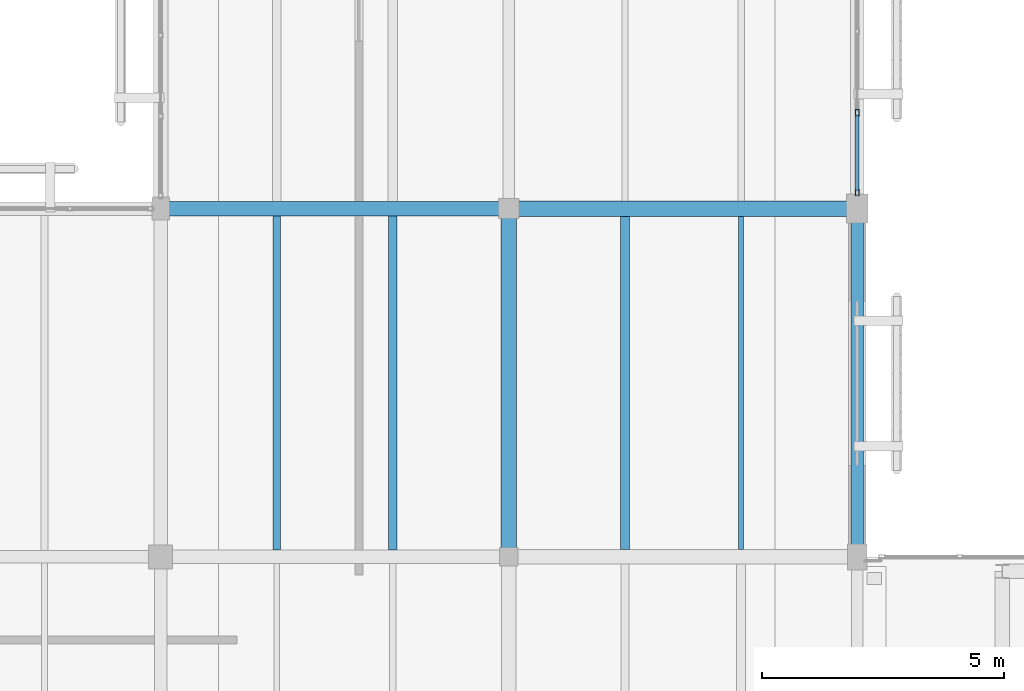
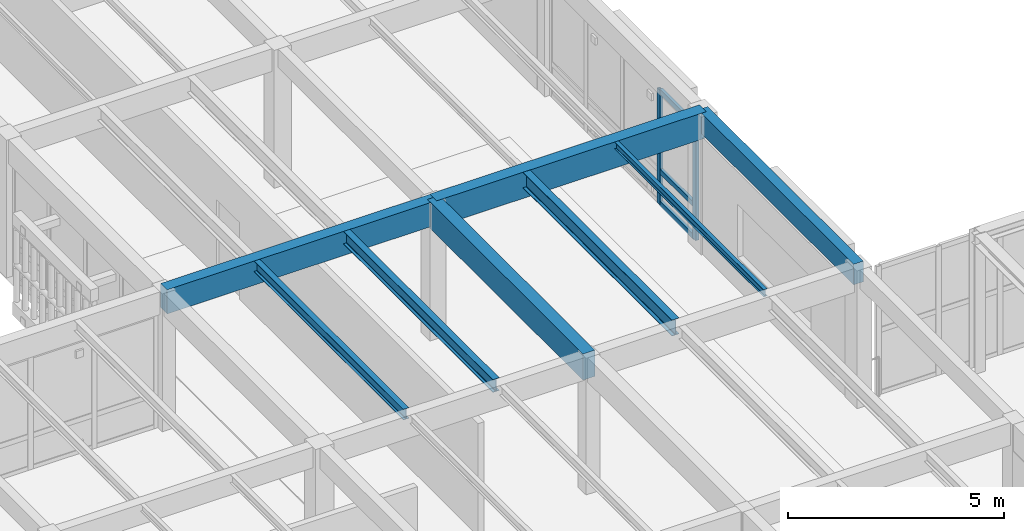
# One storey, part 34 of 217: 8 beams, 5 members, 1 element without a shape of its own.
"""IFC4 building model written with IfcOpenShell, lengths in metres."""

from ifc_helpers import new_model, si_unit, direction, frame, origin, origin_2d, place, context, subcontext, project, spatial, rectangle, hollow_rectangle, i_section, extrude, material, layer, layer_set, material_profile, profile_set, type_object, element, aggregate, save


model = new_model("IFC4")

# Units and contexts
model_context = context("Model", 3, precision=1e-05, world=origin(), true_north=direction((0.0, 1.0)))
body_context = subcontext(model_context, "Body", "Model", "MODEL_VIEW")
ifc_project = project(units=[si_unit("LENGTHUNIT", "METRE"), si_unit("AREAUNIT", "SQUARE_METRE"), si_unit("VOLUMEUNIT", "CUBIC_METRE"), si_unit("PLANEANGLEUNIT", "RADIAN"), si_unit("MASSUNIT", "GRAM", prefix="KILO")], contexts=[model_context])

# Site, building, storey
site_placement = place(None, origin())
site = spatial("IfcSite", under=ifc_project, at=site_placement, CompositionType="ELEMENT")
building_placement = place(site_placement, origin())
building = spatial("IfcBuilding", under=site, at=building_placement, Name="Mazaris Harbour Polytechnic", CompositionType="ELEMENT")
storey_placement = place(building_placement, frame((0.0, 0.0, 9.60009765625)))
storey = spatial("IfcBuildingStorey", under=building, at=storey_placement, Name="L02", CompositionType="ELEMENT", Elevation=9.60009765625)

# Curtain wall, members
ifc_material_1 = material(Name="Anodised Bronze Aluminium and Low-E Glass", Category="aluminium")
ifc_layer = layer(ifc_material_1, 0.159912109375, Name="Anodised Bronze Aluminium and Low-E Glass")
ifc_layer_set = layer_set([ifc_layer], Name="Anodised Bronze Aluminium and Low-E Glass")
curtain_wall_type = type_object("IfcCurtainWallType", Name="Cloister Court Curtain Wall", PredefinedType="NOTDEFINED", material=ifc_layer_set)
curtain_wall_placement = place(storey_placement, origin())
curtain_wall = element("IfcCurtainWall", 1, at=curtain_wall_placement, inside=storey, type_object=curtain_wall_type, Name="V4 L02 Curtain Wall 129", PredefinedType="NOTDEFINED")
ifc_material_2 = material(Name="Anodised Bronze Steel S355", Category="steel")
ifc_material_profile_1 = material_profile(ifc_material_2, hollow_rectangle(XDim=0.080078125, YDim=0.139892578125, WallThickness=0.00634765625, at=origin_2d()), Name="RHS 80x140x6.3")
ifc_profile_set_1 = profile_set([ifc_material_profile_1], Name="Anodised Bronze Steel S355")
member_type_1 = type_object("IfcMemberType", Name="Curtain Mullion RHS80x140", PredefinedType="MULLION", material=ifc_profile_set_1)
member_1_placement = place(storey_placement, frame((43.199951171875, 37.978515625, 0.0), z_axis=(0.0, 0.0, 1.0), x_axis=(1.0, 0.0, 0.0)))
member_1 = element("IfcMember", 2, at=member_1_placement, type_object=member_type_1, Name="CW-02 mullion 4", PredefinedType="MULLION", context=body_context, shape_type="SweptSolid", body=[
    extrude(hollow_rectangle(XDim=0.080078125, YDim=0.139892578125, WallThickness=0.00634765625, at=origin_2d()), origin(), (0.0, 0.0, 1.0), 3.239990234375),
])
member_2_placement = place(storey_placement, frame((43.199951171875, 36.33203125, 0.0), z_axis=(0.0, 0.0, 1.0), x_axis=(1.0, 0.0, 0.0)))
member_2 = element("IfcMember", 3, at=member_2_placement, type_object=member_type_1, Name="CW-02 mullion 5", PredefinedType="MULLION", context=body_context, shape_type="SweptSolid", body=[
    extrude(hollow_rectangle(XDim=0.080078125, YDim=0.139892578125, WallThickness=0.00634765625, at=origin_2d()), origin(), (0.0, 0.0, 1.0), 3.239990234375),
])
ifc_material_3 = material(Name="Anodised Bronze Steel S355", Category="steel")
ifc_material_profile_2 = material_profile(ifc_material_3, hollow_rectangle(XDim=0.080078125, YDim=0.139892578125, WallThickness=0.00634765625, at=origin_2d()), Name="RHS 80x140x6.3")
ifc_profile_set_2 = profile_set([ifc_material_profile_2], Name="Anodised Bronze Steel S355")
member_type_2 = type_object("IfcMemberType", Name="Curtain Transom RHS80x140", PredefinedType="USERDEFINED", material=ifc_profile_set_2)
member_3_placement = place(storey_placement, frame((43.199951171875, 37.9384765625, 0.039794921875), z_axis=(0.0, -1.0, 0.0), x_axis=(1.0, 0.0, 0.0)))
member_3 = element("IfcMember", 4, at=member_3_placement, type_object=member_type_2, Name="CW-02 transom 4.1", ObjectType="TRANSOM", PredefinedType="USERDEFINED", context=body_context, shape_type="SweptSolid", body=[
    extrude(hollow_rectangle(XDim=0.080078125, YDim=0.139892578125, WallThickness=0.00634765625, at=origin_2d()), origin(), (0.0, 0.0, 1.0), 1.56640625),
])
member_4_placement = place(storey_placement, frame((43.199951171875, 37.9384765625, 0.949951171875), z_axis=(0.0, -1.0, 0.0), x_axis=(1.0, 0.0, 0.0)))
member_4 = element("IfcMember", 5, at=member_4_placement, type_object=member_type_2, Name="CW-02 transom 4.2", ObjectType="TRANSOM", PredefinedType="USERDEFINED", context=body_context, shape_type="SweptSolid", body=[
    extrude(hollow_rectangle(XDim=0.080078125, YDim=0.139892578125, WallThickness=0.00634765625, at=origin_2d()), origin(), (0.0, 0.0, 1.0), 1.56640625),
])
member_5_placement = place(storey_placement, frame((43.199951171875, 37.9384765625, 3.199951171875), z_axis=(0.0, -1.0, 0.0), x_axis=(1.0, 0.0, 0.0)))
member_5 = element("IfcMember", 6, at=member_5_placement, type_object=member_type_2, Name="CW-02 transom 4.3", ObjectType="TRANSOM", PredefinedType="USERDEFINED", context=body_context, shape_type="SweptSolid", body=[
    extrude(hollow_rectangle(XDim=0.080078125, YDim=0.139892578125, WallThickness=0.00634765625, at=origin_2d()), origin(), (0.0, 0.0, 1.0), 1.56640625),
])
aggregate(curtain_wall, [member_1, member_2, member_3, member_4, member_5])

# Beams
ifc_material_4 = material(Name="Glulam GL32h", Category="wood")
ifc_material_profile_3 = material_profile(ifc_material_4, rectangle(XDim=0.260009765625, YDim=0.580078125, at=origin_2d()), Name="RECT260x580")
ifc_profile_set_3 = profile_set([ifc_material_profile_3], Name="Glulam GL32h")
beam_type_1 = type_object("IfcBeamType", Name="Glulam Girder 260x580 Exterior", PredefinedType="BEAM", material=ifc_profile_set_3)
beam_1_placement = place(storey_placement, frame((43.199951171875, 28.800048828125, 3.599853515625), z_axis=(0.0, 1.0, 0.0), x_axis=(-1.0, 0.0, 0.0)))
element("IfcBeam", 7, at=beam_1_placement, inside=storey, type_object=beam_type_1, Name="V4 L02 Tie Girder 2036", PredefinedType="BEAM", context=body_context, shape_type="SweptSolid", body=[
    extrude(rectangle(XDim=0.260009765625, YDim=0.580078125, at=origin_2d()), origin(), (0.0, 0.0, 1.0), 7.199951171875),
])
ifc_material_5 = material(Name="Glulam GL32h", Category="wood")
ifc_material_profile_4 = material_profile(ifc_material_5, rectangle(XDim=0.300048828125, YDim=0.679931640625, at=origin_2d()), Name="RECT300x680")
ifc_profile_set_4 = profile_set([ifc_material_profile_4], Name="Glulam GL32h")
beam_type_2 = type_object("IfcBeamType", Name="Glulam Girder 300x680", PredefinedType="BEAM", material=ifc_profile_set_4)
beam_2_placement = place(storey_placement, frame((28.800048828125, 36.0, 3.5498046875), z_axis=(1.0, 0.0, 0.0), x_axis=(0.0, 1.0, 0.0)))
element("IfcBeam", 8, at=beam_2_placement, inside=storey, type_object=beam_type_2, Name="V4 L02 Girder 1923", PredefinedType="BEAM", context=body_context, shape_type="SweptSolid", body=[
    extrude(rectangle(XDim=0.300048828125, YDim=0.679931640625, at=origin_2d()), origin(), (0.0, 0.0, 1.0), 7.199951171875),
])
ifc_material_6 = material(Name="Glulam GL32h", Category="wood")
ifc_material_profile_5 = material_profile(ifc_material_6, rectangle(XDim=0.320068359375, YDim=0.739990234375, at=origin_2d()), Name="RECT320x740")
ifc_profile_set_5 = profile_set([ifc_material_profile_5], Name="Glulam GL32h")
beam_type_3 = type_object("IfcBeamType", Name="Glulam Girder 320x740", PredefinedType="BEAM", material=ifc_profile_set_5)
for number, where, z_axis, x_axis, name in (
    (9, (36.0, 36.0, 3.52001953125), (1.0, 0.0, 0.0), (0.0, 1.0, 0.0), "V4 L02 Girder 1924"),
    (10, (36.0, 28.800048828125, 3.52001953125), (0.0, 1.0, 0.0), (-1.0, 0.0, 0.0), "V4 L02 Tie Girder 2024"),
):
    element("IfcBeam", number, at=place(storey_placement, frame(where, z_axis=z_axis, x_axis=x_axis)), inside=storey, type_object=beam_type_3, Name=name, PredefinedType="BEAM", context=body_context, shape_type="SweptSolid", body=[
        extrude(rectangle(XDim=0.320068359375, YDim=0.739990234375, at=origin_2d()), origin(), (0.0, 0.0, 1.0), 7.199951171875),
    ])
ifc_material_7 = material(Name="Steel S355", Category="steel")
ifc_material_profile_6 = material_profile(ifc_material_7, i_section(OverallWidth=0.10009765625, OverallDepth=0.199951171875, WebThickness=0.005615234375, FlangeThickness=0.008544921875, FilletRadius=0.011962890625, at=origin_2d()), Name="IPE 200")
ifc_profile_set_6 = profile_set([ifc_material_profile_6], Name="Steel S355")
beam_type_4 = type_object("IfcBeamType", Name="Steel Joist IPE200", PredefinedType="JOIST", material=ifc_profile_set_6)
beam_3_placement = place(storey_placement, frame((40.800048828125, 28.949951171875, 3.789794921875), z_axis=(0.0, 1.0, 0.0), x_axis=(-1.0, 0.0, 0.0)))
element("IfcBeam", 11, at=beam_3_placement, inside=storey, type_object=beam_type_4, Name="V4 L02 Floor Joist 2149", PredefinedType="JOIST", context=body_context, shape_type="SweptSolid", body=[
    extrude(i_section(OverallWidth=0.10009765625, OverallDepth=0.199951171875, WebThickness=0.005615234375, FlangeThickness=0.008544921875, FilletRadius=0.011962890625, at=origin_2d()), origin(), (0.0, 0.0, 1.0), 6.89013671875),
])
ifc_material_8 = material(Name="Steel S355", Category="steel")
ifc_material_profile_7 = material_profile(ifc_material_8, i_section(OverallWidth=0.14990234375, OverallDepth=0.300048828125, WebThickness=0.007080078125, FlangeThickness=0.0107421875, FilletRadius=0.014892578125, at=origin_2d()), Name="IPE 300")
ifc_profile_set_7 = profile_set([ifc_material_profile_7], Name="Steel S355")
beam_type_5 = type_object("IfcBeamType", Name="Steel Joist IPE300", PredefinedType="JOIST", material=ifc_profile_set_7)
beam_4_placement = place(storey_placement, frame((31.199951171875, 28.93994140625, 3.739990234375), z_axis=(0.0, 1.0, 0.0), x_axis=(-1.0, 0.0, 0.0)))
element("IfcBeam", 12, at=beam_4_placement, inside=storey, type_object=beam_type_5, Name="V4 L02 Floor Joist 2124", PredefinedType="JOIST", context=body_context, shape_type="SweptSolid", body=[
    extrude(i_section(OverallWidth=0.14990234375, OverallDepth=0.300048828125, WebThickness=0.007080078125, FlangeThickness=0.0107421875, FilletRadius=0.014892578125, at=origin_2d()), origin(), (0.0, 0.0, 1.0), 6.91015625),
])
ifc_material_9 = material(Name="Steel S355", Category="steel")
ifc_material_profile_8 = material_profile(ifc_material_9, i_section(OverallWidth=0.169921875, OverallDepth=0.360107421875, WebThickness=0.008056640625, FlangeThickness=0.0126953125, FilletRadius=0.01806640625, at=origin_2d()), Name="IPE 360")
ifc_profile_set_8 = profile_set([ifc_material_profile_8], Name="Steel S355")
beam_type_6 = type_object("IfcBeamType", Name="Steel Joist IPE360", PredefinedType="JOIST", material=ifc_profile_set_8)
beam_5_placement = place(storey_placement, frame((33.60009765625, 28.93994140625, 3.7099609375), z_axis=(0.0, 1.0, 0.0), x_axis=(-1.0, 0.0, 0.0)))
element("IfcBeam", 13, at=beam_5_placement, inside=storey, type_object=beam_type_6, Name="V4 L02 Floor Joist 2125", PredefinedType="JOIST", context=body_context, shape_type="SweptSolid", body=[
    extrude(i_section(OverallWidth=0.169921875, OverallDepth=0.360107421875, WebThickness=0.008056640625, FlangeThickness=0.0126953125, FilletRadius=0.01806640625, at=origin_2d()), origin(), (0.0, 0.0, 1.0), 6.91015625),
])
ifc_material_10 = material(Name="Steel S355", Category="steel")
ifc_material_profile_9 = material_profile(ifc_material_10, i_section(OverallWidth=0.18994140625, OverallDepth=0.449951171875, WebThickness=0.009521484375, FlangeThickness=0.0146484375, FilletRadius=0.02099609375, at=origin_2d()), Name="IPE 450")
ifc_profile_set_9 = profile_set([ifc_material_profile_9], Name="Steel S355")
beam_type_7 = type_object("IfcBeamType", Name="Steel Joist IPE450", PredefinedType="JOIST", material=ifc_profile_set_9)
beam_6_placement = place(storey_placement, frame((38.39990234375, 28.949951171875, 3.664794921875), z_axis=(0.0, 1.0, 0.0), x_axis=(-1.0, 0.0, 0.0)))
element("IfcBeam", 14, at=beam_6_placement, inside=storey, type_object=beam_type_7, Name="V4 L02 Floor Joist 2148", PredefinedType="JOIST", context=body_context, shape_type="SweptSolid", body=[
    extrude(i_section(OverallWidth=0.18994140625, OverallDepth=0.449951171875, WebThickness=0.009521484375, FlangeThickness=0.0146484375, FilletRadius=0.02099609375, at=origin_2d()), origin(), (0.0, 0.0, 1.0), 6.89013671875),
])

save(model, "model.ifc")
